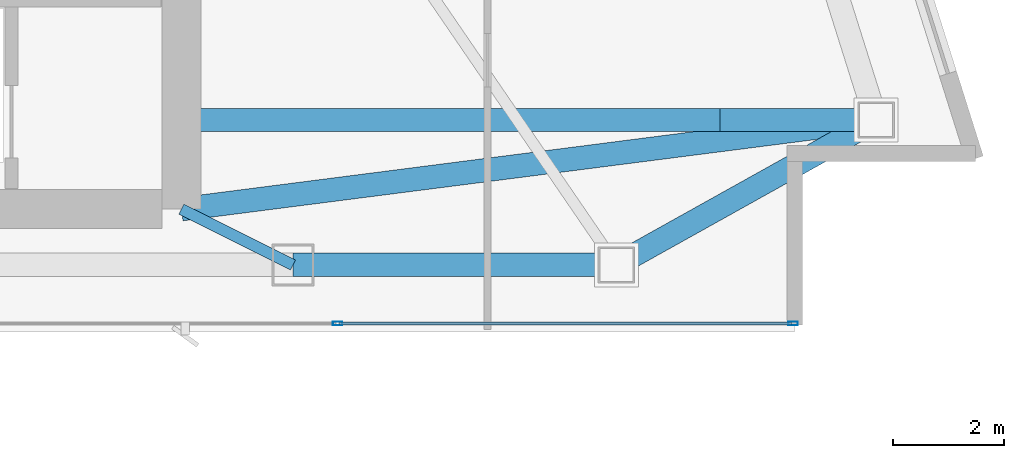
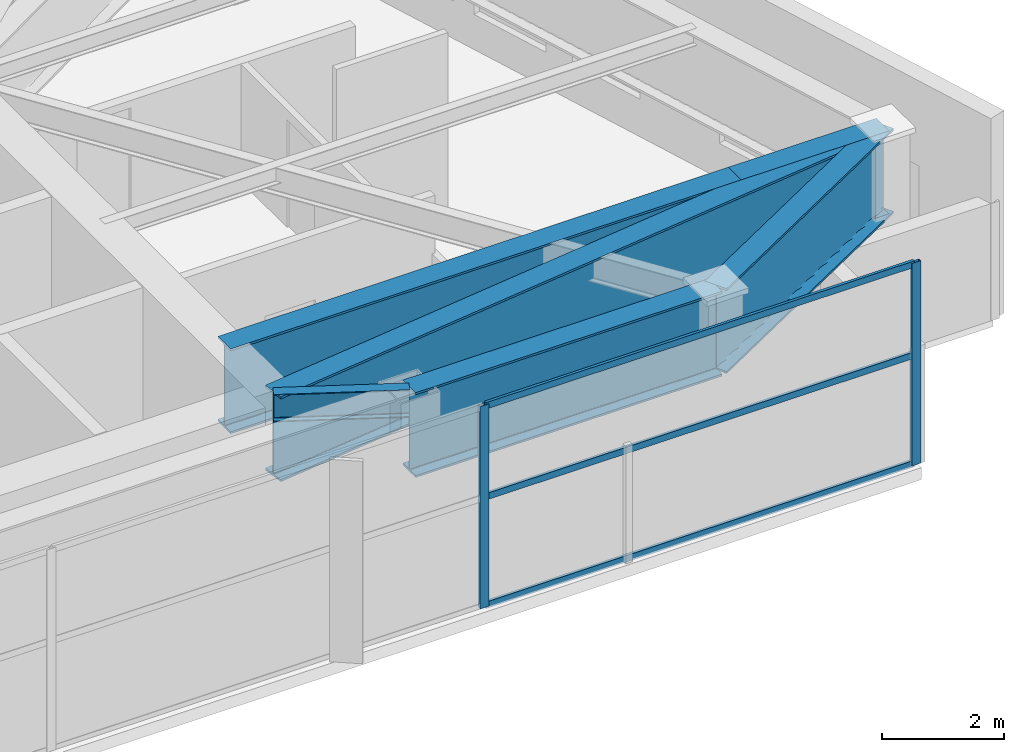
# One storey, part 14 of 29: 6 beams, 5 members, 1 element without a shape of its own.
"""IFC4 building model written with IfcOpenShell, lengths in metres."""

from ifc_helpers import new_model, si_unit, direction, frame, origin, origin_2d, place, context, subcontext, project, spatial, hollow_rectangle, i_section, extrude, material, layer, layer_set, material_profile, profile_set, type_object, element, aggregate, save


model = new_model("IFC4")

# Units and contexts
model_context = context("Model", 3, precision=1e-05, world=origin(), true_north=direction((0.0, 1.0)))
body_context = subcontext(model_context, "Body", "Model", "MODEL_VIEW")
ifc_project = project(units=[si_unit("LENGTHUNIT", "METRE"), si_unit("AREAUNIT", "SQUARE_METRE"), si_unit("VOLUMEUNIT", "CUBIC_METRE"), si_unit("PLANEANGLEUNIT", "RADIAN"), si_unit("MASSUNIT", "GRAM", prefix="KILO")], contexts=[model_context])

# Site, building, storey
site_placement = place(None, origin())
site = spatial("IfcSite", under=ifc_project, at=site_placement, CompositionType="ELEMENT")
building_placement = place(site_placement, origin())
building = spatial("IfcBuilding", under=site, at=building_placement, Name="Calvorn Quay Hotel", CompositionType="ELEMENT")
storey_placement = place(building_placement, frame((0.0, 0.0, 259.0)))
storey = spatial("IfcBuildingStorey", under=building, at=storey_placement, Name="L64", CompositionType="ELEMENT", Elevation=259.0)

# Beams
ifc_material_1 = material(Name="Steel Q355B", Category="steel")
ifc_material_profile_1 = material_profile(ifc_material_1, i_section(OverallWidth=0.199951171875, OverallDepth=0.550048828125, WebThickness=0.010009765625, FlangeThickness=0.01611328125, FilletRadius=0.01806640625, at=origin_2d()), Name="HN550x200x10x16")
ifc_profile_set_1 = profile_set([ifc_material_profile_1], Name="Steel Q355B")
beam_type_1 = type_object("IfcBeamType", Name="BM-GIRD-UPP", PredefinedType="BEAM", material=ifc_profile_set_1)
beam_1_placement = place(storey_placement, frame((34.39990234375, 3.60009765625, 3.77490234375), z_axis=(-0.894427191, 0.4472135955, 0.0), x_axis=(-0.4472135955, -0.894427191, 0.0)))
element("IfcBeam", 1, at=beam_1_placement, inside=storey, type_object=beam_type_1, Name="Beam BG-L64-S3", PredefinedType="BEAM", context=body_context, shape_type="SweptSolid", body=[
    extrude(i_section(OverallWidth=0.199951171875, OverallDepth=0.550048828125, WebThickness=0.010009765625, FlangeThickness=0.01611328125, FilletRadius=0.01806640625, at=origin_2d()), origin(), (0.0, 0.0, 1.0), 2.236083984375),
])
ifc_material_2 = material(Name="Steel Q420GJC", Category="steel")
ifc_material_profile_2 = material_profile(ifc_material_2, i_section(OverallWidth=0.419921875, OverallDepth=1.699951171875, WebThickness=0.02392578125, FlangeThickness=0.0419921875, FilletRadius=0.02392578125, at=origin_2d()), Name="HN1700x420x24x42")
ifc_profile_set_2 = profile_set([ifc_material_profile_2], Name="Steel Q420GJC")
beam_type_2 = type_object("IfcBeamType", Name="BM-XFER-SAWTOOTH", PredefinedType="BEAM", material=ifc_profile_set_2)
beam_2_placement = place(storey_placement, frame((32.39990234375, 6.199951171875, 3.199951171875), z_axis=(1.0, 0.0, 0.0), x_axis=(0.0, 1.0, 0.0)))
element("IfcBeam", 2, at=beam_2_placement, inside=storey, type_object=beam_type_2, Name="Beam BTG-L64-C-ET1A", PredefinedType="BEAM", context=body_context, shape_type="SweptSolid", body=[
    extrude(i_section(OverallWidth=0.419921875, OverallDepth=1.699951171875, WebThickness=0.02392578125, FlangeThickness=0.0419921875, FilletRadius=0.02392578125, at=origin_2d()), origin(), (0.0, 0.0, 1.0), 9.6611328125),
])
beam_3_placement = place(storey_placement, frame((42.06103515625, 6.199951171875, 3.199951171875), z_axis=(1.0, 0.0, 0.0), x_axis=(0.0, 1.0, 0.0)))
element("IfcBeam", 3, at=beam_3_placement, inside=storey, type_object=beam_type_2, Name="Beam BTG-L64-C-ET1B", PredefinedType="BEAM", context=body_context, shape_type="SweptSolid", body=[
    extrude(i_section(OverallWidth=0.419921875, OverallDepth=1.699951171875, WebThickness=0.02392578125, FlangeThickness=0.0419921875, FilletRadius=0.02392578125, at=origin_2d()), origin(), (0.0, 0.0, 1.0), 2.800048828125),
])
beam_4_placement = place(storey_placement, frame((34.39990234375, 3.60009765625, 3.199951171875), z_axis=(1.0, 0.0, 0.0), x_axis=(0.0, 1.0, 0.0)))
element("IfcBeam", 4, at=beam_4_placement, inside=storey, type_object=beam_type_2, Name="Beam BSP-L64-S4", PredefinedType="BEAM", context=body_context, shape_type="SweptSolid", body=[
    extrude(i_section(OverallWidth=0.419921875, OverallDepth=1.699951171875, WebThickness=0.02392578125, FlangeThickness=0.0419921875, FilletRadius=0.02392578125, at=origin_2d()), origin(), (0.0, 0.0, 1.0), 5.800048828125),
])
beam_5_placement = place(storey_placement, frame((40.199951171875, 3.60009765625, 3.199951171875), z_axis=(0.873333936204, 0.487121992805, 0.0), x_axis=(-0.487121992805, 0.873333936204, 0.0)))
element("IfcBeam", 5, at=beam_5_placement, inside=storey, type_object=beam_type_2, Name="Beam BSP-L64-S5", PredefinedType="BEAM", context=body_context, shape_type="SweptSolid", body=[
    extrude(i_section(OverallWidth=0.419921875, OverallDepth=1.699951171875, WebThickness=0.02392578125, FlangeThickness=0.0419921875, FilletRadius=0.02392578125, at=origin_2d()), origin(), (0.0, 0.0, 1.0), 5.337158203125),
])
beam_6_placement = place(storey_placement, frame((32.39990234375, 4.60009765625, 3.199951171875), z_axis=(0.991858897847, 0.12734177147, 0.0), x_axis=(-0.12734177147, 0.991858897847, 0.0)))
element("IfcBeam", 6, at=beam_6_placement, inside=storey, type_object=beam_type_2, Name="Beam BTG-L64-01", PredefinedType="BEAM", context=body_context, shape_type="SweptSolid", body=[
    extrude(i_section(OverallWidth=0.419921875, OverallDepth=1.699951171875, WebThickness=0.02392578125, FlangeThickness=0.0419921875, FilletRadius=0.02392578125, at=origin_2d()), origin(), (0.0, 0.0, 1.0), 12.5634765625),
])

# Curtain wall, members
ifc_material_3 = material(Name="Champagne Bronze Anodised Aluminium and Low-E Glass", Category="aluminium")
ifc_layer = layer(ifc_material_3, 0.219970703125)
ifc_layer_set = layer_set([ifc_layer], Name="CW-SYS-Z4")
curtain_wall_type = type_object("IfcCurtainWallType", Name="CW-SYS-Z4", PredefinedType="NOTDEFINED", material=ifc_layer_set)
curtain_wall_placement = place(storey_placement, origin())
curtain_wall = element("IfcCurtainWall", 7, at=curtain_wall_placement, inside=storey, type_object=curtain_wall_type, Name="Tower South Waterfront Curtain Wall (L64)", PredefinedType="NOTDEFINED")
ifc_material_4 = material(Name="Champagne Bronze Anodised Aluminium 6063-T6", Category="aluminium")
ifc_material_profile_3 = material_profile(ifc_material_4, hollow_rectangle(XDim=0.06494140625, YDim=0.169921875, WallThickness=0.00341796875, at=origin_2d()), Name="ALU-M170x65x3.5")
ifc_profile_set_3 = profile_set([ifc_material_profile_3], Name="Champagne Bronze Anodised Aluminium 6063-T6")
member_type_1 = type_object("IfcMemberType", Name="CW-SYS-Z4-MUL", PredefinedType="MULLION", material=ifc_profile_set_3)
member_1_placement = place(storey_placement, frame((35.199951171875, 2.550048828125, 0.0), z_axis=(0.0, 0.0, 1.0), x_axis=(0.0, 1.0, 0.0)))
member_1 = element("IfcMember", 8, at=member_1_placement, type_object=member_type_1, Name="CW-L64-S mullion 4", PredefinedType="MULLION", context=body_context, shape_type="SweptSolid", body=[
    extrude(hollow_rectangle(XDim=0.06494140625, YDim=0.169921875, WallThickness=0.00341796875, at=origin_2d()), origin(), (0.0, 0.0, 1.0), 4.050048828125),
])
member_2_placement = place(storey_placement, frame((43.3701171875, 2.550048828125, 0.0), z_axis=(0.0, 0.0, 1.0), x_axis=(0.0, 1.0, 0.0)))
member_2 = element("IfcMember", 9, at=member_2_placement, type_object=member_type_1, Name="CW-L64-S mullion 5", PredefinedType="MULLION", context=body_context, shape_type="SweptSolid", body=[
    extrude(hollow_rectangle(XDim=0.06494140625, YDim=0.169921875, WallThickness=0.00341796875, at=origin_2d()), origin(), (0.0, 0.0, 1.0), 4.050048828125),
])
ifc_material_5 = material(Name="Champagne Bronze Anodised Aluminium 6063-T6", Category="aluminium")
ifc_material_profile_4 = material_profile(ifc_material_5, hollow_rectangle(XDim=0.054931640625, YDim=0.1298828125, WallThickness=0.003173828125, at=origin_2d()), Name="ALU-T130x55x3.2")
ifc_profile_set_4 = profile_set([ifc_material_profile_4], Name="Champagne Bronze Anodised Aluminium 6063-T6")
member_type_2 = type_object("IfcMemberType", Name="CW-SYS-Z4-TRN", PredefinedType="USERDEFINED", material=ifc_profile_set_4)
member_3_placement = place(storey_placement, frame((35.22998046875, 2.550048828125, 0.030029296875), z_axis=(1.0, 0.0, 0.0), x_axis=(0.0, 1.0, 0.0)))
member_3 = element("IfcMember", 10, at=member_3_placement, type_object=member_type_2, Name="CW-L64-S transom 4.1", ObjectType="TRANSOM", PredefinedType="USERDEFINED", context=body_context, shape_type="SweptSolid", body=[
    extrude(hollow_rectangle(XDim=0.054931640625, YDim=0.1298828125, WallThickness=0.003173828125, at=origin_2d()), origin(), (0.0, 0.0, 1.0), 8.110107421875),
])
member_4_placement = place(storey_placement, frame((35.22998046875, 2.550048828125, 2.199951171875), z_axis=(1.0, 0.0, 0.0), x_axis=(0.0, 1.0, 0.0)))
member_4 = element("IfcMember", 11, at=member_4_placement, type_object=member_type_2, Name="CW-L64-S transom 4.2", ObjectType="TRANSOM", PredefinedType="USERDEFINED", context=body_context, shape_type="SweptSolid", body=[
    extrude(hollow_rectangle(XDim=0.054931640625, YDim=0.1298828125, WallThickness=0.003173828125, at=origin_2d()), origin(), (0.0, 0.0, 1.0), 8.110107421875),
])
member_5_placement = place(storey_placement, frame((35.22998046875, 2.550048828125, 4.02001953125), z_axis=(1.0, 0.0, 0.0), x_axis=(0.0, 1.0, 0.0)))
member_5 = element("IfcMember", 12, at=member_5_placement, type_object=member_type_2, Name="CW-L64-S transom 4.3", ObjectType="TRANSOM", PredefinedType="USERDEFINED", context=body_context, shape_type="SweptSolid", body=[
    extrude(hollow_rectangle(XDim=0.054931640625, YDim=0.1298828125, WallThickness=0.003173828125, at=origin_2d()), origin(), (0.0, 0.0, 1.0), 8.110107421875),
])
aggregate(curtain_wall, [member_1, member_2, member_3, member_4, member_5])

save(model, "model.ifc")
